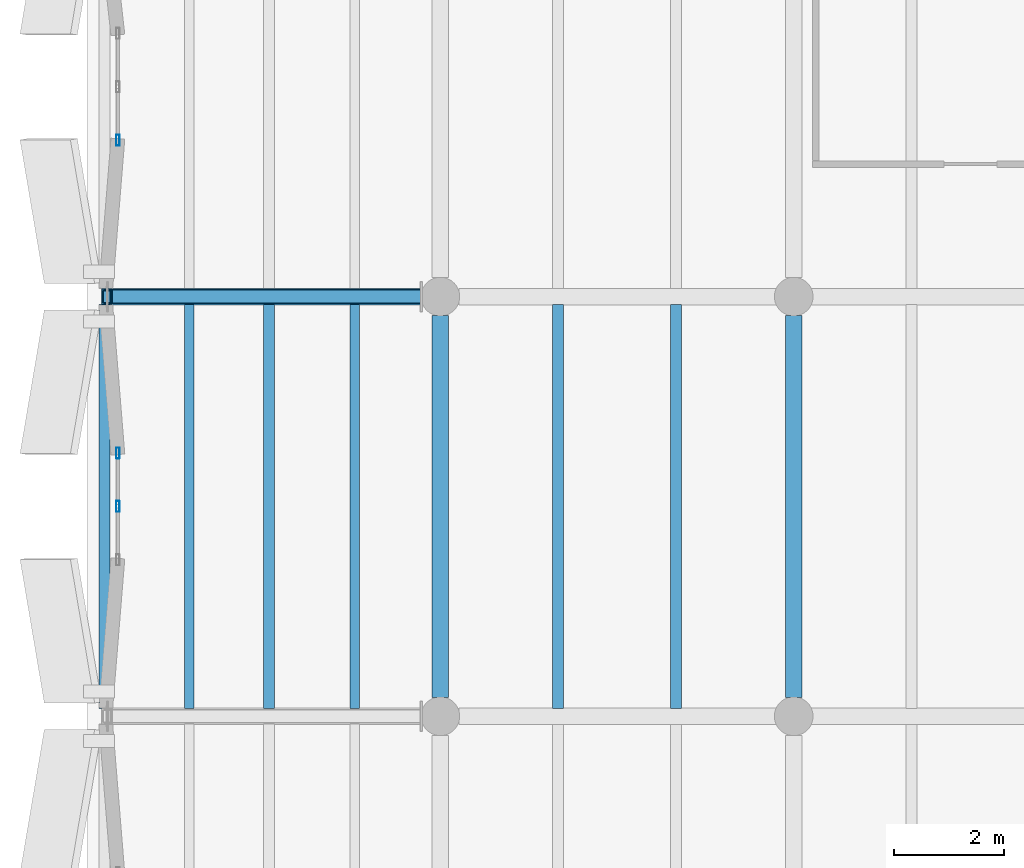
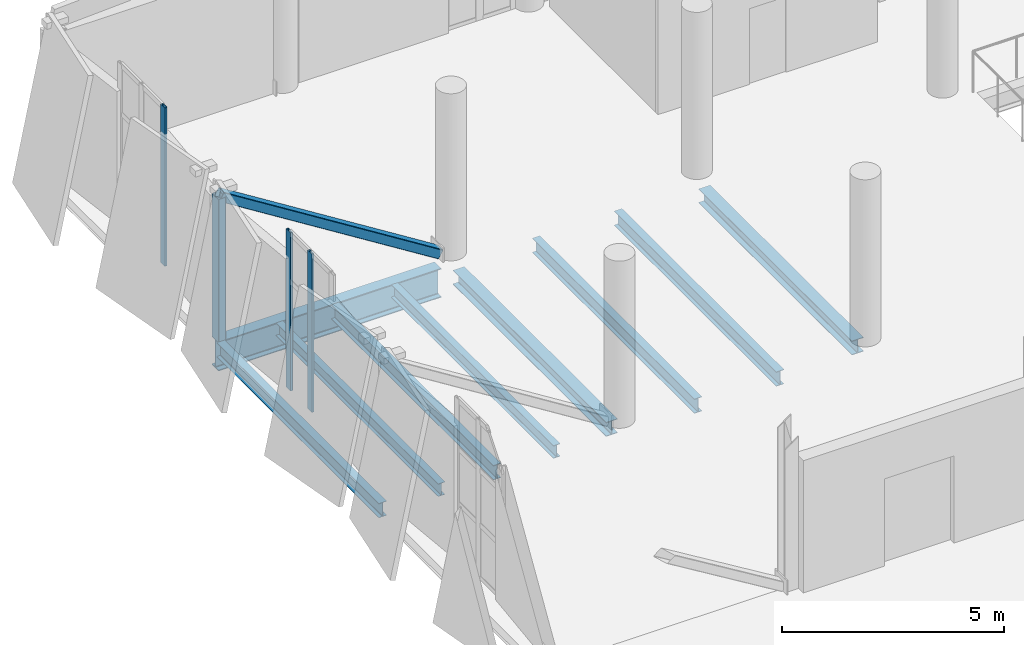
# One storey, part 20 of 74: 9 beams, 5 members, 2 elements without a shape of their own.
"""IFC4 building model written with IfcOpenShell, lengths in metres."""

from ifc_helpers import new_model, si_unit, direction, frame, origin, origin_2d, place, context, subcontext, project, spatial, hollow_rectangle, i_section, extrude, material, material_profile, profile_set, type_object, element, aggregate, save


model = new_model("IFC4")

# Units and contexts
model_context = context("Model", 3, precision=1e-05, world=origin(), true_north=direction((0.0, 1.0)))
body_context = subcontext(model_context, "Body", "Model", "MODEL_VIEW")
ifc_project = project(units=[si_unit("LENGTHUNIT", "METRE"), si_unit("AREAUNIT", "SQUARE_METRE"), si_unit("VOLUMEUNIT", "CUBIC_METRE"), si_unit("PLANEANGLEUNIT", "RADIAN"), si_unit("MASSUNIT", "GRAM", prefix="KILO")], contexts=[model_context])

# Site, building, storey
site_placement = place(None, origin())
site = spatial("IfcSite", under=ifc_project, at=site_placement, CompositionType="ELEMENT")
building_placement = place(site_placement, origin())
building = spatial("IfcBuilding", under=site, at=building_placement, Name="Shengluoqiao Park Theatre", CompositionType="ELEMENT")
storey_placement = place(building_placement, frame((0.0, 0.0, 14.60009765625)))
storey = spatial("IfcBuildingStorey", under=building, at=storey_placement, Name="L03", CompositionType="ELEMENT", Elevation=14.60009765625)

# Curtain wall, members
ifc_material_1 = material(Name="Aluminium 6063-T6", Category="aluminium")
curtain_wall_type = type_object("IfcCurtainWallType", Name="ENV-CW-FOYER", PredefinedType="NOTDEFINED", material=ifc_material_1)
curtain_wall_1_placement = place(storey_placement, origin())
curtain_wall_1 = element("IfcCurtainWall", 1, at=curtain_wall_1_placement, inside=storey, type_object=curtain_wall_type, Name="L03 Curtain Wall CW-L03-SLIT-0248", PredefinedType="NOTDEFINED")
ifc_material_profile_1 = material_profile(ifc_material_1, hollow_rectangle(XDim=0.06494140625, YDim=0.199951171875, WallThickness=0.0048828125, InnerFilletRadius=0.0048828125, OuterFilletRadius=0.010009765625, at=origin_2d()), Name="ALU MULLION 200x65x5")
ifc_profile_set_1 = profile_set([ifc_material_profile_1], Name="Aluminium 6063-T6")
member_type_1 = type_object("IfcMemberType", Name="ENV-MUL-200", PredefinedType="MULLION", material=ifc_profile_set_1)
member_1_placement = place(storey_placement, frame((0.56005859375, 64.60009765625, 0.0), z_axis=(0.0, 0.0, 1.0), x_axis=(-1.0, 0.0, 0.0)))
member_1 = element("IfcMember", 2, at=member_1_placement, type_object=member_type_1, Name="CW-01 mullion 2", PredefinedType="MULLION", context=body_context, shape_type="SweptSolid", body=[
    extrude(hollow_rectangle(XDim=0.06494140625, YDim=0.199951171875, WallThickness=0.0048828125, InnerFilletRadius=0.0048828125, OuterFilletRadius=0.010009765625, at=origin_2d()), origin(), (0.0, 0.0, 1.0), 4.35986328125),
])
member_2_placement = place(storey_placement, frame((0.56005859375, 65.5673828125, 0.0), z_axis=(0.0, 0.0, 1.0), x_axis=(-1.0, 0.0, 0.0)))
member_2 = element("IfcMember", 3, at=member_2_placement, type_object=member_type_1, Name="CW-01 mullion 3", PredefinedType="MULLION", context=body_context, shape_type="SweptSolid", body=[
    extrude(hollow_rectangle(XDim=0.06494140625, YDim=0.199951171875, WallThickness=0.0048828125, InnerFilletRadius=0.0048828125, OuterFilletRadius=0.010009765625, at=origin_2d()), origin(), (0.0, 0.0, 1.0), 4.35986328125),
])
aggregate(curtain_wall_1, [member_1, member_2])

# Curtain wall, member
curtain_wall_2_placement = place(storey_placement, origin())
curtain_wall_2 = element("IfcCurtainWall", 4, at=curtain_wall_2_placement, inside=storey, type_object=curtain_wall_type, Name="L03 Curtain Wall CW-L03-SLIT-0249", PredefinedType="NOTDEFINED")
member_3_placement = place(storey_placement, frame((0.56005859375, 71.232421875, 0.0), z_axis=(0.0, 0.0, 1.0), x_axis=(-1.0, 0.0, 0.0)))
member_3 = element("IfcMember", 5, at=member_3_placement, type_object=member_type_1, Name="CW-01 mullion 1", PredefinedType="MULLION", context=body_context, shape_type="SweptSolid", body=[
    extrude(hollow_rectangle(XDim=0.06494140625, YDim=0.199951171875, WallThickness=0.0048828125, InnerFilletRadius=0.0048828125, OuterFilletRadius=0.010009765625, at=origin_2d()), origin(), (0.0, 0.0, 1.0), 4.35986328125),
])
aggregate(curtain_wall_2, [member_3])

# Beams
ifc_material_2 = material(Name="Steel Q355", Category="steel")
ifc_material_profile_2 = material_profile(ifc_material_2, i_section(OverallWidth=0.300048828125, OverallDepth=0.389892578125, WebThickness=0.010009765625, FlangeThickness=0.01611328125, FilletRadius=0.01806640625, at=origin_2d()), Name="HM 390x300x10x16")
ifc_profile_set_2 = profile_set([ifc_material_profile_2], Name="Steel Q355")
beam_type_1 = type_object("IfcBeamType", Name="STR-BM-G-HM390", PredefinedType="BEAM", material=ifc_profile_set_2)
for number, where, z_axis, x_axis, name in (
    (6, (6.39990234375, 61.14404296875, -0.43505859375), (0.0, 1.0, 0.0), (-1.0, 0.0, 0.0), "L03 Transverse Girder 01310"),
    (7, (12.800048828125, 61.14404296875, -0.43505859375), (0.0, 1.0, 0.0), (-1.0, 0.0, 0.0), "L03 Transverse Girder 01313"),
):
    element("IfcBeam", number, at=place(storey_placement, frame(where, z_axis=z_axis, x_axis=x_axis)), inside=storey, type_object=beam_type_1, Name=name, PredefinedType="BEAM", context=body_context, shape_type="SweptSolid", body=[
        extrude(i_section(OverallWidth=0.300048828125, OverallDepth=0.389892578125, WebThickness=0.010009765625, FlangeThickness=0.01611328125, FilletRadius=0.01806640625, at=origin_2d()), origin(), (0.0, 0.0, 1.0), 6.911865234375),
    ])
ifc_material_3 = material(Name="Steel Q390", Category="steel")
ifc_material_profile_3 = material_profile(ifc_material_3, i_section(OverallWidth=0.300048828125, OverallDepth=0.800048828125, WebThickness=0.013916015625, FlangeThickness=0.02587890625, FilletRadius=0.02587890625, at=origin_2d()), Name="HN 800x300x14x26")
ifc_profile_set_3 = profile_set([ifc_material_profile_3], Name="Steel Q390")
beam_type_2 = type_object("IfcBeamType", Name="STR-BM-G-HN800", PredefinedType="BEAM", material=ifc_profile_set_3)
beam_placement = place(storey_placement, frame((0.260009765625, 68.39990234375, -0.64013671875), z_axis=(1.0, 0.0, 0.0), x_axis=(0.0, 1.0, 0.0)))
element("IfcBeam", 8, at=beam_placement, inside=storey, type_object=beam_type_2, Name="CT-V5-2 L03 Cantilever Overhang Chord", PredefinedType="BEAM", context=body_context, shape_type="SweptSolid", body=[
    extrude(i_section(OverallWidth=0.300048828125, OverallDepth=0.800048828125, WebThickness=0.013916015625, FlangeThickness=0.02587890625, FilletRadius=0.02587890625, at=origin_2d()), origin(), (0.0, 0.0, 1.0), 5.802001953125),
])
ifc_material_profile_4 = material_profile(ifc_material_2, i_section(OverallWidth=0.175048828125, OverallDepth=0.35009765625, WebThickness=0.007080078125, FlangeThickness=0.010986328125, FilletRadius=0.013916015625, at=origin_2d()), Name="HN 350x175x7x11")
ifc_profile_set_4 = profile_set([ifc_material_profile_4], Name="Steel Q355")
beam_type_3 = type_object("IfcBeamType", Name="STR-BM-J-HN350", PredefinedType="JOIST", material=ifc_profile_set_4)
for number, where, z_axis, x_axis, name in (
    (9, (1.85009765625, 60.944091796875, -0.4150390625), (0.0, 1.0, 0.0), (-1.0, 0.0, 0.0), "V5 L03 Cantilever Joist 00062"),
    (10, (4.85009765625, 60.944091796875, -0.4150390625), (0.0, 1.0, 0.0), (-1.0, 0.0, 0.0), "V5 L03 Cantilever Joist 00065"),
):
    element("IfcBeam", number, at=place(storey_placement, frame(where, z_axis=z_axis, x_axis=x_axis)), inside=storey, type_object=beam_type_3, Name=name, PredefinedType="JOIST", context=body_context, shape_type="SweptSolid", body=[
        extrude(i_section(OverallWidth=0.175048828125, OverallDepth=0.35009765625, WebThickness=0.007080078125, FlangeThickness=0.010986328125, FilletRadius=0.013916015625, at=origin_2d()), origin(), (0.0, 0.0, 1.0), 7.31201171875),
    ])
ifc_material_profile_5 = material_profile(ifc_material_2, i_section(OverallWidth=0.199951171875, OverallDepth=0.39990234375, WebThickness=0.008056640625, FlangeThickness=0.012939453125, FilletRadius=0.01611328125, at=origin_2d()), Name="HN 400x200x8x13")
ifc_profile_set_5 = profile_set([ifc_material_profile_5], Name="Steel Q355")
beam_type_4 = type_object("IfcBeamType", Name="STR-BM-J-HN400", PredefinedType="JOIST", material=ifc_profile_set_5)
for number, where, z_axis, x_axis, name in (
    (11, (8.533203125, 60.945068359375, -0.440185546875), (0.0, 1.0, 0.0), (-1.0, 0.0, 0.0), "L03 Composite Joist 01322"),
    (12, (10.666748046875, 60.945068359375, -0.440185546875), (0.0, 1.0, 0.0), (-1.0, 0.0, 0.0), "L03 Composite Joist 01323"),
):
    element("IfcBeam", number, at=place(storey_placement, frame(where, z_axis=z_axis, x_axis=x_axis)), inside=storey, type_object=beam_type_4, Name=name, PredefinedType="JOIST", context=body_context, shape_type="SweptSolid", body=[
        extrude(i_section(OverallWidth=0.199951171875, OverallDepth=0.39990234375, WebThickness=0.008056640625, FlangeThickness=0.012939453125, FilletRadius=0.01611328125, at=origin_2d()), origin(), (0.0, 0.0, 1.0), 7.309814453125),
    ])
ifc_material_profile_6 = material_profile(ifc_material_2, i_section(OverallWidth=0.198974609375, OverallDepth=0.39599609375, WebThickness=0.007080078125, FlangeThickness=0.010986328125, FilletRadius=0.01611328125, at=origin_2d()), Name="HN 396x199x7x11")
ifc_profile_set_6 = profile_set([ifc_material_profile_6], Name="Steel Q355")
beam_type_5 = type_object("IfcBeamType", Name="STR-BM-SP-HN396", PredefinedType="SPANDREL", material=ifc_profile_set_6)
for number, where, z_axis, x_axis, name in (
    (13, (0.320068359375, 60.944091796875, -0.43798828125), (0.0, 1.0, 0.0), (-1.0, 0.0, 0.0), "V5 L03 Cantilever Spandrel 00058"),
    (14, (3.300048828125, 60.944091796875, -0.43798828125), (0.0, 1.0, 0.0), (-1.0, 0.0, 0.0), "V5 L03 Cantilever Spandrel 00060"),
):
    element("IfcBeam", number, at=place(storey_placement, frame(where, z_axis=z_axis, x_axis=x_axis)), inside=storey, type_object=beam_type_5, Name=name, PredefinedType="SPANDREL", context=body_context, shape_type="SweptSolid", body=[
        extrude(i_section(OverallWidth=0.198974609375, OverallDepth=0.39599609375, WebThickness=0.007080078125, FlangeThickness=0.010986328125, FilletRadius=0.01611328125, at=origin_2d()), origin(), (0.0, 0.0, 1.0), 7.31201171875),
    ])

# Members
ifc_material_profile_7 = material_profile(ifc_material_2, hollow_rectangle(XDim=0.25, YDim=0.25, WallThickness=0.011962890625, InnerFilletRadius=0.011962890625, OuterFilletRadius=0.02392578125, at=origin_2d()), Name="RHS 250x250x12")
ifc_profile_set_7 = profile_set([ifc_material_profile_7], Name="Steel Q355")
member_type_2 = type_object("IfcMemberType", Name="STR-MEM-BRR-250", PredefinedType="BRACE", material=ifc_profile_set_7)
member_4_placement = place(storey_placement, frame((6.06494140625, 68.39990234375, 0.119873046875), z_axis=(-0.847025493578, 0.0, 0.531552267635), x_axis=(0.0, -1.0, 0.0)))
element("IfcMember", 15, at=member_4_placement, inside=storey, type_object=member_type_2, Name="CT-V5-2 L03 Cantilever Raking Strut", PredefinedType="BRACE", context=body_context, shape_type="SweptSolid", body=[
    extrude(hollow_rectangle(XDim=0.25, YDim=0.25, WallThickness=0.011962890625, InnerFilletRadius=0.011962890625, OuterFilletRadius=0.02392578125, at=origin_2d()), origin(), (0.0, 0.0, 1.0), 6.735107421875),
])
ifc_material_profile_8 = material_profile(ifc_material_3, hollow_rectangle(XDim=0.199951171875, YDim=0.300048828125, WallThickness=0.011962890625, InnerFilletRadius=0.011962890625, OuterFilletRadius=0.02392578125, at=origin_2d()), Name="RHS 300x200x12")
ifc_profile_set_8 = profile_set([ifc_material_profile_8], Name="Steel Q390")
member_type_3 = type_object("IfcMemberType", Name="STR-MEM-PTR-302", PredefinedType="POST", material=ifc_profile_set_8)
member_5_placement = place(storey_placement, frame((0.360107421875, 68.39990234375, -0.260009765625), z_axis=(0.0, 0.0, 1.0), x_axis=(1.0, 0.0, 0.0)))
element("IfcMember", 16, at=member_5_placement, inside=storey, type_object=member_type_3, Name="CT-V5-2 L03 Cantilever Tip Post", PredefinedType="POST", context=body_context, shape_type="SweptSolid", body=[
    extrude(hollow_rectangle(XDim=0.199951171875, YDim=0.300048828125, WallThickness=0.011962890625, InnerFilletRadius=0.011962890625, OuterFilletRadius=0.02392578125, at=origin_2d()), origin(), (0.0, 0.0, 1.0), 3.93994140625),
])

save(model, "model.ifc")
